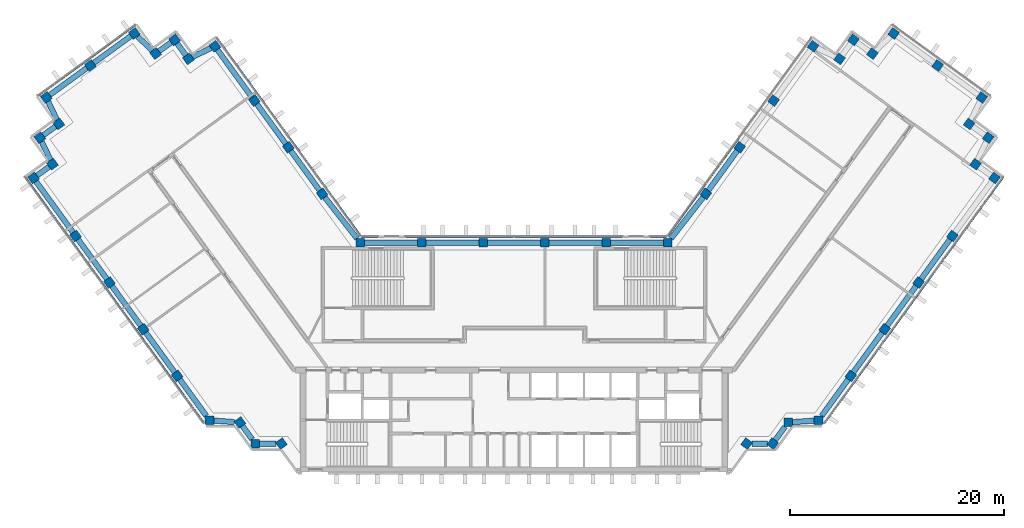
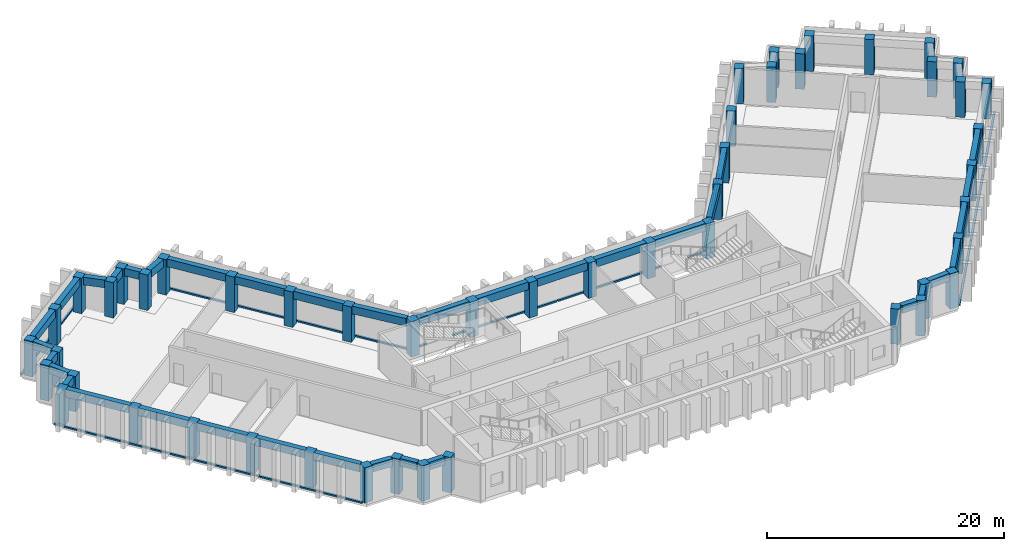
"""IFC4 building model written with IfcOpenShell, lengths in metres."""

import ifcopenshell
import ifcopenshell.guid

model = None  # the IFC model being written
_history = None  # IfcOwnerHistory: only IFC2X3 demands one
_inside = {}  # id of a spatial element -> (the spatial element, [elements in it])
_under = {}  # id of a project, library or spatial element -> (it, [spatial elements below it])
_declared = {}  # id of a project -> (the project, [libraries it declares])
_typed = {}  # id of a type object -> (the type object, [elements of that type])
_made_of = {}  # id of a material, layer set ... -> (it, [elements and type objects made of it])


def new_model(schema):
    """Start an empty IFC model of exactly this schema.

    Asked for "IFC4X3", IfcOpenShell would pick the latest addendum, in which some entities
    have other attributes; the version numbers below select the first issue.
    IFC2X3 requires an IfcOwnerHistory on every rooted entity: one is made here for all.
    """
    global model, _history
    if schema == "IFC4X3":
        model = ifcopenshell.file(schema_version=(4, 3, 0, 0))
    else:
        model = ifcopenshell.file(schema=schema)
    _inside.clear()
    _under.clear()
    _declared.clear()
    _typed.clear()
    _made_of.clear()
    _history = None
    if model.schema == "IFC2X3":
        org = make("IfcOrganization", Name="unknown")
        user = make(
            "IfcPersonAndOrganization",
            ThePerson=make("IfcPerson", FamilyName="unknown"),
            TheOrganization=org,
        )
        app = make(
            "IfcApplication",
            ApplicationDeveloper=org,
            Version="unknown",
            ApplicationFullName="unknown",
            ApplicationIdentifier="unknown",
        )
        _history = make(
            "IfcOwnerHistory",
            OwningUser=user,
            OwningApplication=app,
            ChangeAction="ADDED",
            CreationDate=0,
        )
    return model


def make(cls, **values):
    """One entity of the class cls with the attributes given. An attribute that is None is left unset."""
    return model.create_entity(
        cls, **{name: value for name, value in values.items() if value is not None}
    )


def rooted(cls, **values):
    """An entity with a GlobalId (a new one), such as an element, a storey or a relation."""
    return make(cls, GlobalId=ifcopenshell.guid.new(), OwnerHistory=_history, **values)


def si_unit(unit_type, name, prefix=None):
    """IfcSIUnit, for example si_unit("LENGTHUNIT", "METRE", prefix="MILLI")."""
    return make("IfcSIUnit", UnitType=unit_type, Prefix=prefix, Name=name)


def assignment(units):
    """IfcUnitAssignment: the units of a project."""
    return None if units is None else make("IfcUnitAssignment", Units=units)


def point(xyz):
    """IfcCartesianPoint."""
    return None if xyz is None else make("IfcCartesianPoint", Coordinates=xyz)


def direction(xyz):
    """IfcDirection."""
    return None if xyz is None else make("IfcDirection", DirectionRatios=xyz)


def frame(location, z_axis=None, x_axis=None):
    """IfcAxis2Placement3D, a coordinate frame: its origin and axes. An axis left out is left unset."""
    return make(
        "IfcAxis2Placement3D",
        Location=point(location),
        Axis=direction(z_axis),
        RefDirection=direction(x_axis),
    )


def frame_2d(location, x_axis=None):
    """IfcAxis2Placement2D, a coordinate frame in the plane: its origin and x axis."""
    return make(
        "IfcAxis2Placement2D", Location=point(location), RefDirection=direction(x_axis)
    )


def origin():
    """The frame at (0, 0, 0) with its axes left unset."""
    return frame((0.0, 0.0, 0.0))


def origin_2d():
    """The frame at (0, 0) in the plane with its x axis left unset."""
    return frame_2d((0.0, 0.0))


def place(relative_to, where):
    """IfcLocalPlacement: puts the frame where relative to a parent placement (None: the world)."""
    return make(
        "IfcLocalPlacement", PlacementRelTo=relative_to, RelativePlacement=where
    )


def context(
    kind, dimensions, precision=None, world=None, true_north=None, identifier=None
):
    """IfcGeometricRepresentationContext, for example the 3D "Model" context."""
    return make(
        "IfcGeometricRepresentationContext",
        ContextIdentifier=identifier,
        ContextType=kind,
        CoordinateSpaceDimension=dimensions,
        Precision=precision,
        WorldCoordinateSystem=world,
        TrueNorth=true_north,
    )


def subcontext(parent, identifier, kind, view, scale=None):
    """IfcGeometricRepresentationSubContext, for example "Body" below "Model"."""
    return make(
        "IfcGeometricRepresentationSubContext",
        ContextIdentifier=identifier,
        ContextType=kind,
        ParentContext=parent,
        TargetScale=scale,
        TargetView=view,
    )


def project(units=None, contexts=None):
    """IfcProject with its units and contexts."""
    return rooted(
        "IfcProject",
        Name="project",
        RepresentationContexts=contexts,
        UnitsInContext=assignment(units),
    )


def spatial(cls, under=None, at=None, **own):
    """A site, building, storey or space (cls), placed at a placement, below another one or the project."""
    s = rooted(cls, ObjectPlacement=at, **own)
    if under is not None:
        _under.setdefault(under.id(), (under, []))[1].append(s)
    return s


def profile(cls, at=None, kind="AREA", **sizes):
    """A parametric profile (cls). Its sizes go by their IFC names, for example OverallWidth=200.0."""
    return make(cls, ProfileType=kind, Position=at, **sizes)


def rectangle(**sizes):
    """IfcRectangleProfileDef."""
    return profile("IfcRectangleProfileDef", **sizes)


def extrude(swept, where, along, depth):
    """IfcExtrudedAreaSolid: the profile swept, set in the frame where, extruded along a direction by depth."""
    return make(
        "IfcExtrudedAreaSolid",
        SweptArea=swept,
        Position=where,
        ExtrudedDirection=direction(along),
        Depth=depth,
    )


def shape(context_of_items, identifier, shape_type, items):
    """IfcShapeRepresentation: the items that make up one representation, for example the "Body"."""
    return make(
        "IfcShapeRepresentation",
        ContextOfItems=context_of_items,
        RepresentationIdentifier=identifier,
        RepresentationType=shape_type,
        Items=items,
    )


def material(Name=None, Category=None):
    """IfcMaterial."""
    return make("IfcMaterial", Name=Name, Category=Category)


def material_profile(
    of_material, cross_section, Name=None, Category=None, Priority=None
):
    """IfcMaterialProfile: a cross section and its material."""
    return make(
        "IfcMaterialProfile",
        Name=Name,
        Material=of_material,
        Profile=cross_section,
        Priority=Priority,
        Category=Category,
    )


def profile_set(profiles, Name=None, composite=None):
    """IfcMaterialProfileSet."""
    return make(
        "IfcMaterialProfileSet",
        Name=Name,
        MaterialProfiles=profiles,
        CompositeProfile=composite,
    )


def made_of(thing, what):
    """Note that an element or type object is made of a material, layer set ...; save() writes the relation."""
    if what is not None:
        _made_of.setdefault(what.id(), (what, []))[1].append(thing)
    return thing


def type_object(cls, material=None, **own):
    """A type object (cls), such as IfcWallType, which elements share."""
    return made_of(rooted(cls, **own), material)


def element(
    cls,
    number,
    at=None,
    inside=None,
    cuts=None,
    type_object=None,
    material=None,
    context=None,
    identifier="Body",
    shape_type=None,
    held_by="IfcProductDefinitionShape",
    body=None,
    shapes=None,
    **own,
):
    """One element of the class cls, such as IfcWall. Its Tag is "e" and its number.

    at: its placement. inside: the storey or other place that contains it. cuts: it is an
    opening in that element (IfcRelVoidsElement). A single representation is given by context,
    identifier, shape_type and body (its items); several are given by shapes. held_by: the class
    of the entity that holds the representations. save() writes the other relations.
    """
    e = rooted(cls, Tag="e%d" % number, ObjectPlacement=at, **own)
    if body is not None:
        shapes = [shape(context, identifier, shape_type, body)]
    if shapes is not None:
        e.Representation = make(held_by, Representations=shapes)
    if inside is not None:
        _inside.setdefault(inside.id(), (inside, []))[1].append(e)
    if cuts is not None:
        rooted(
            "IfcRelVoidsElement", RelatingBuildingElement=cuts, RelatedOpeningElement=e
        )
    if type_object is not None:
        _typed.setdefault(type_object.id(), (type_object, []))[1].append(e)
    return made_of(e, material)


def aggregate(whole, parts):
    """IfcRelAggregates: a whole, such as a stair, and the parts it consists of."""
    return rooted("IfcRelAggregates", RelatingObject=whole, RelatedObjects=parts)


def save(model, path):
    """Write the relations noted so far, then the file.

    IfcRelAggregates (storeys below a building ...), IfcRelContainedInSpatialStructure (elements
    in a storey), IfcRelDefinesByType, IfcRelAssociatesMaterial and IfcRelDeclares: one each for
    every whole, place, type object, material and project.
    """
    for whole, parts in _under.values():
        aggregate(whole, parts)
    for where, things in _inside.values():
        rooted(
            "IfcRelContainedInSpatialStructure",
            RelatedElements=things,
            RelatingStructure=where,
        )
    for kind, things in _typed.values():
        rooted("IfcRelDefinesByType", RelatedObjects=things, RelatingType=kind)
    for what, things in _made_of.values():
        rooted("IfcRelAssociatesMaterial", RelatedObjects=things, RelatingMaterial=what)
    for by, libraries in _declared.values():
        rooted("IfcRelDeclares", RelatingContext=by, RelatedDefinitions=libraries)
    model.write(path)


model = new_model("IFC4")

# Units and contexts
model_context = context("Model", 3, precision=1e-05, world=origin(), true_north=direction((0.0, 1.0)))
body_context = subcontext(model_context, "Body", "Model", "MODEL_VIEW")
ifc_project = project(units=[si_unit("LENGTHUNIT", "METRE"), si_unit("AREAUNIT", "SQUARE_METRE"), si_unit("VOLUMEUNIT", "CUBIC_METRE"), si_unit("PLANEANGLEUNIT", "RADIAN"), si_unit("MASSUNIT", "GRAM", prefix="KILO")], contexts=[model_context])

# Site, building, storey
site_placement = place(None, origin())
site = spatial("IfcSite", under=ifc_project, at=site_placement, CompositionType="ELEMENT")
building_placement = place(site_placement, origin())
building = spatial("IfcBuilding", under=site, at=building_placement, Name="Quipu Civic Tower", CompositionType="ELEMENT")
storey_1_placement = place(building_placement, frame((0.0, 0.0, 176.0)))
storey_1 = spatial("IfcBuildingStorey", under=building, at=storey_1_placement, Name="L41", CompositionType="ELEMENT", Elevation=176.0)

# Columns
ifc_material_1 = material(Name="Concrete C60/75", Category="concrete")
ifc_material_profile_1 = material_profile(ifc_material_1, rectangle(XDim=0.800048828125, YDim=0.800048828125, at=origin_2d()), Name="RC800x800")
ifc_profile_set_1 = profile_set([ifc_material_profile_1], Name="Concrete C60/75")
column_type = type_object("IfcColumnType", Name="Perimeter column RC 800x800 C60/75", PredefinedType="COLUMN", material=ifc_profile_set_1)
for number, where, z_axis, x_axis, name in (
    (1, (-17.9736328125, 15.074951171875, 0.0), (0.0, 0.0, 1.0), (-0.587785252292, 0.809016994375, 0.0), "Column L41 W-IN-01"),
    (2, (-21.1474609375, 19.44384765625, 0.0), (0.0, 0.0, 1.0), (-0.587785252292, 0.809016994375, 0.0), "Column L41 W-IN-02"),
    (3, (-24.3212890625, 23.8125, 0.0), (0.0, 0.0, 1.0), (-0.587785252292, 0.809016994375, 0.0), "Column L41 W-IN-03"),
    (4, (-28.02001953125, 28.905029296875, 0.0), (0.0, 0.0, 1.0), (-0.809016994375, -0.587785252292, 0.0), "Column L41 T-Wi.0-W34"),
    (5, (-30.498779296875, 27.72265625, 0.0), (0.0, 0.0, 1.0), (-0.809016994375, -0.587785252292, 0.0), "Column L41 T-Wi.1-W34"),
    (6, (-31.794921875, 29.5, 0.0), (0.0, 0.0, 1.0), (-0.587785252292, 0.809016994375, 0.0), "Column L41 T-Wi.2-W34"),
    (7, (-33.573974609375, 28.20947265625, 0.0), (0.0, 0.0, 1.0), (-0.587785252292, 0.809016994375, 0.0), "Column L41 T-Wi.3-W34"),
    (8, (-35.56494140625, 30.10009765625, 0.0), (0.0, 0.0, 1.0), (-0.809016994375, -0.587785252292, 0.0), "Column L41 T-Wi.4-W34"),
    (9, (-39.690673828125, 27.10205078125, 0.0), (0.0, 0.0, 1.0), (-0.809016994375, -0.587785252292, 0.0), "Column L41 TIP-W-01-W34"),
    (10, (-43.81494140625, 24.10498046875, 0.0), (0.0, 0.0, 1.0), (-0.809016994375, -0.587785252292, 0.0), "Column L41 T-Wo.0-W34"),
    (11, (-42.635009765625, 21.626220703125, 0.0), (0.0, 0.0, 1.0), (-0.809016994375, -0.587785252292, 0.0), "Column L41 T-Wo.1-W34"),
    (12, (-44.4150390625, 20.3349609375, 0.0), (0.0, 0.0, 1.0), (0.587785252292, -0.809016994375, 0.0), "Column L41 T-Wo.2-W34"),
    (13, (-43.23095703125, 17.8544921875, 0.0), (0.0, 0.0, 1.0), (0.587785252292, -0.809016994375, 0.0), "Column L41 T-Wo.3-W34"),
    (14, (-45.010009765625, 16.56005859375, 0.0), (0.0, 0.0, 1.0), (0.587785252292, -0.809016994375, 0.0), "Column L41 T-Wo.4-W34"),
    (15, (-41.0703125, 11.137451171875, 0.0), (0.0, 0.0, 1.0), (0.587785252292, -0.809016994375, 0.0), "Column L41 W-OUT-04"),
    (16, (-37.896240234375, 6.768798828125, 0.0), (0.0, 0.0, 1.0), (0.587785252292, -0.809016994375, 0.0), "Column L41 W-OUT-03"),
    (17, (-34.722412109375, 2.39990234375, 0.0), (0.0, 0.0, 1.0), (0.587785252292, -0.809016994375, 0.0), "Column L41 W-OUT-02"),
    (18, (-31.54833984375, -1.96875, 0.0), (0.0, 0.0, 1.0), (0.587785252292, -0.809016994375, 0.0), "Column L41 W-OUT-01"),
    (19, (-28.52490234375, -6.1298828125, 0.0), (0.0, 0.0, 1.0), (1.0, 0.0, 0.0), "Column L41 J-Wo.0"),
    (20, (-25.67431640625, -6.3369140625, 0.0), (0.0, 0.0, 1.0), (0.587785252292, -0.809016994375, 0.0), "Column L41 J-Wo.1"),
    (21, (-24.235107421875, -8.31494140625, 0.0), (0.0, 0.0, 1.0), (1.0, 0.0, 0.0), "Column L41 J-Wo.2"),
    (22, (-21.791748046875, -8.31494140625, 0.0), (0.0, 0.0, 1.0), (0.587785252292, -0.809016994375, 0.0), "Column L41 J-Wo.3"),
    (23, (21.791748046875, -8.31494140625, 0.0), (0.0, 0.0, 1.0), (0.587785252292, 0.809016994375, 0.0), "Column L41 J-Eo.1"),
    (24, (24.235107421875, -8.31494140625, 0.0), (0.0, 0.0, 1.0), (0.587785252292, 0.809016994375, 0.0), "Column L41 J-Eo.2"),
    (25, (25.67431640625, -6.3369140625, 0.0), (0.0, 0.0, 1.0), (1.0, 0.0, 0.0), "Column L41 J-Eo.3"),
    (26, (28.52490234375, -6.1298828125, 0.0), (0.0, 0.0, 1.0), (1.0, 0.0, 0.0), "Column L41 J-Eo.4"),
    (27, (31.54833984375, -1.96875, 0.0), (0.0, 0.0, 1.0), (0.587785252292, 0.809016994375, 0.0), "Column L41 E-OUT-01"),
    (28, (34.722412109375, 2.39990234375, 0.0), (0.0, 0.0, 1.0), (0.587785252292, 0.809016994375, 0.0), "Column L41 E-OUT-02"),
    (29, (37.896240234375, 6.768798828125, 0.0), (0.0, 0.0, 1.0), (0.587785252292, 0.809016994375, 0.0), "Column L41 E-OUT-03"),
    (30, (41.0703125, 11.137451171875, 0.0), (0.0, 0.0, 1.0), (0.587785252292, 0.809016994375, 0.0), "Column L41 E-OUT-04"),
    (31, (45.010009765625, 16.56005859375, 0.0), (0.0, 0.0, 1.0), (0.587785252292, 0.809016994375, 0.0), "Column L41 T-Eo.0-E34"),
    (32, (43.23095703125, 17.8544921875, 0.0), (0.0, 0.0, 1.0), (0.587785252292, 0.809016994375, 0.0), "Column L41 T-Eo.1-E34"),
    (33, (44.4150390625, 20.3349609375, 0.0), (0.0, 0.0, 1.0), (0.587785252292, 0.809016994375, 0.0), "Column L41 T-Eo.2-E34"),
    (34, (42.635009765625, 21.626220703125, 0.0), (0.0, 0.0, 1.0), (-0.809016994375, 0.587785252292, 0.0), "Column L41 T-Eo.3-E34"),
    (35, (43.81494140625, 24.10498046875, 0.0), (0.0, 0.0, 1.0), (-0.809016994375, 0.587785252292, 0.0), "Column L41 T-Eo.4-E34"),
    (36, (39.690673828125, 27.10205078125, 0.0), (0.0, 0.0, 1.0), (-0.809016994375, 0.587785252292, 0.0), "Column L41 TIP-E-01-E34"),
    (37, (35.56494140625, 30.10009765625, 0.0), (0.0, 0.0, 1.0), (-0.587785252292, -0.809016994375, 0.0), "Column L41 T-Ei.0-E34"),
    (38, (33.573974609375, 28.20947265625, 0.0), (0.0, 0.0, 1.0), (-0.809016994375, 0.587785252292, 0.0), "Column L41 T-Ei.1-E34"),
    (39, (31.794921875, 29.5, 0.0), (0.0, 0.0, 1.0), (-0.587785252292, -0.809016994375, 0.0), "Column L41 T-Ei.2-E34"),
    (40, (30.498779296875, 27.72265625, 0.0), (0.0, 0.0, 1.0), (-0.809016994375, 0.587785252292, 0.0), "Column L41 T-Ei.3-E34"),
    (41, (28.02001953125, 28.905029296875, 0.0), (0.0, 0.0, 1.0), (-0.809016994375, 0.587785252292, 0.0), "Column L41 T-Ei.4-E34"),
    (42, (24.3212890625, 23.8125, 0.0), (0.0, 0.0, 1.0), (-0.587785252292, -0.809016994375, 0.0), "Column L41 E-IN-03"),
    (43, (21.1474609375, 19.44384765625, 0.0), (0.0, 0.0, 1.0), (-0.587785252292, -0.809016994375, 0.0), "Column L41 E-IN-02"),
    (44, (17.9736328125, 15.074951171875, 0.0), (0.0, 0.0, 1.0), (-0.587785252292, -0.809016994375, 0.0), "Column L41 E-IN-01"),
    (45, (14.395263671875, 10.5, 0.0), (0.0, 0.0, 1.0), (-1.0, 0.0, 0.0), "Column L41 J-Ei.0"),
    (46, (8.63720703125, 10.5, 0.0), (0.0, 0.0, 1.0), (-1.0, 0.0, 0.0), "Column L41 FRONT-01"),
    (47, (2.87890625, 10.5, 0.0), (0.0, 0.0, 1.0), (-1.0, 0.0, 0.0), "Column L41 FRONT-02"),
    (48, (-2.87890625, 10.5, 0.0), (0.0, 0.0, 1.0), (-1.0, 0.0, 0.0), "Column L41 FRONT-03"),
    (49, (-8.63720703125, 10.5, 0.0), (0.0, 0.0, 1.0), (-1.0, 0.0, 0.0), "Column L41 FRONT-04"),
    (50, (-14.395263671875, 10.5, 0.0), (0.0, 0.0, 1.0), (-1.0, 0.0, 0.0), "Column L41 J-Wi.0"),
):
    element("IfcColumn", number, at=place(storey_1_placement, frame(where, z_axis=z_axis, x_axis=x_axis)), inside=storey_1, type_object=column_type, Name=name, PredefinedType="COLUMN", context=body_context, shape_type="SweptSolid", body=[
        extrude(rectangle(XDim=0.800048828125, YDim=0.800048828125, at=origin_2d()), origin(), (0.0, 0.0, 1.0), 3.64990234375),
    ])

# Beams
ifc_material_2 = material(Name="Concrete C50/60", Category="concrete")
ifc_material_profile_2 = material_profile(ifc_material_2, rectangle(XDim=0.5, YDim=0.800048828125, at=origin_2d()), Name="RC500x800")
ifc_profile_set_2 = profile_set([ifc_material_profile_2], Name="Concrete C50/60")
beam_type = type_object("IfcBeamType", Name="Spandrel beam RC 500x800 C50/60", PredefinedType="SPANDREL", material=ifc_profile_set_2)
beam_1_placement = place(storey_1_placement, frame((-18.208740234375, 15.398681640625, 3.25), z_axis=(-0.58776136044, 0.809034352283, 0.0), x_axis=(-0.809034352283, -0.58776136044, 0.0)))
element("IfcBeam", 51, at=beam_1_placement, inside=storey_1, type_object=beam_type, Name="Spandrel beam L41 W-IN-01 to W-IN-02", PredefinedType="SPANDREL", context=body_context, shape_type="SweptSolid", body=[
    extrude(rectangle(XDim=0.5, YDim=0.800048828125, at=origin_2d()), origin(), (0.0, 0.0, 1.0), 4.599853515625),
])
beam_2_placement = place(storey_1_placement, frame((-21.382568359375, 19.767333984375, 3.25), z_axis=(-0.587736122681, 0.809052686848, 0.0), x_axis=(-0.809052686848, -0.587736122681, 0.0)))
element("IfcBeam", 52, at=beam_2_placement, inside=storey_1, type_object=beam_type, Name="Spandrel beam L41 W-IN-02 to W-IN-03", PredefinedType="SPANDREL", context=body_context, shape_type="SweptSolid", body=[
    extrude(rectangle(XDim=0.5, YDim=0.800048828125, at=origin_2d()), origin(), (0.0, 0.0, 1.0), 4.60009765625),
])
beam_3_placement = place(storey_1_placement, frame((-24.556396484375, 24.13623046875, 3.25), z_axis=(-0.587664254196, 0.809104890815, 0.0), x_axis=(-0.809104890815, -0.587664254196, 0.0)))
element("IfcBeam", 53, at=beam_3_placement, inside=storey_1, type_object=beam_type, Name="Spandrel beam L41 W-IN-03 to T-Wi.0-W34", PredefinedType="SPANDREL", context=body_context, shape_type="SweptSolid", body=[
    extrude(rectangle(XDim=0.5, YDim=0.800048828125, at=origin_2d()), origin(), (0.0, 0.0, 1.0), 5.493896484375),
])
beam_4_placement = place(storey_1_placement, frame((-28.38720703125, 28.72998046875, 3.25), z_axis=(-0.902584802379, -0.430512107279, 0.0), x_axis=(0.430512107279, -0.902584802379, 0.0)))
element("IfcBeam", 54, at=beam_4_placement, inside=storey_1, type_object=beam_type, Name="Spandrel beam L41 T-Wi.0-W34 to T-Wi.1-W34", PredefinedType="SPANDREL", context=body_context, shape_type="SweptSolid", body=[
    extrude(rectangle(XDim=0.5, YDim=0.800048828125, at=origin_2d()), origin(), (0.0, 0.0, 1.0), 1.9326171875),
])
beam_5_placement = place(storey_1_placement, frame((-30.734375, 28.0458984375, 3.25), z_axis=(-0.589342949835, 0.80788296645, 0.0), x_axis=(-0.80788296645, -0.589342949835, 0.0)))
element("IfcBeam", 55, at=beam_5_placement, inside=storey_1, type_object=beam_type, Name="Spandrel beam L41 T-Wi.1-W34 to T-Wi.2-W34", PredefinedType="SPANDREL", context=body_context, shape_type="SweptSolid", body=[
    extrude(rectangle(XDim=0.5, YDim=0.800048828125, at=origin_2d()), origin(), (0.0, 0.0, 1.0), 1.39990234375),
])
beam_6_placement = place(storey_1_placement, frame((-32.118896484375, 29.26513671875, 3.25), z_axis=(-0.80941533633, -0.587236590578, 0.0), x_axis=(0.587236590578, -0.80941533633, 0.0)))
element("IfcBeam", 56, at=beam_6_placement, inside=storey_1, type_object=beam_type, Name="Spandrel beam L41 T-Wi.2-W34 to T-Wi.3-W34", PredefinedType="SPANDREL", context=body_context, shape_type="SweptSolid", body=[
    extrude(rectangle(XDim=0.5, YDim=0.800048828125, at=origin_2d()), origin(), (0.0, 0.0, 1.0), 1.397705078125),
])
beam_7_placement = place(storey_1_placement, frame((-33.868896484375, 28.489501953125, 3.25), z_axis=(-0.72519185421, 0.68854685722, 0.0), x_axis=(-0.68854685722, -0.72519185421, 0.0)))
element("IfcBeam", 57, at=beam_7_placement, inside=storey_1, type_object=beam_type, Name="Spandrel beam L41 T-Wi.3-W34 to T-Wi.4-W34", PredefinedType="SPANDREL", context=body_context, shape_type="SweptSolid", body=[
    extrude(rectangle(XDim=0.5, YDim=0.800048828125, at=origin_2d()), origin(), (0.0, 0.0, 1.0), 1.93212890625),
])
beam_8_placement = place(storey_1_placement, frame((-35.888671875, 29.86474609375, 3.25), z_axis=(-0.808983997561, -0.58783066583, 0.0), x_axis=(0.58783066583, -0.808983997561, 0.0)))
element("IfcBeam", 58, at=beam_8_placement, inside=storey_1, type_object=beam_type, Name="Spandrel beam L41 T-Wi.4-W34 to TIP-W-01-W34", PredefinedType="SPANDREL", context=body_context, shape_type="SweptSolid", body=[
    extrude(rectangle(XDim=0.5, YDim=0.800048828125, at=origin_2d()), origin(), (0.0, 0.0, 1.0), 4.2998046875),
])
beam_9_placement = place(storey_1_placement, frame((-40.014404296875, 26.866943359375, 3.25), z_axis=(-0.808947267178, -0.587881211578, 0.0), x_axis=(0.587881211578, -0.808947267178, 0.0)))
element("IfcBeam", 59, at=beam_9_placement, inside=storey_1, type_object=beam_type, Name="Spandrel beam L41 TIP-W-01-W34 to T-Wo.0-W34", PredefinedType="SPANDREL", context=body_context, shape_type="SweptSolid", body=[
    extrude(rectangle(XDim=0.5, YDim=0.800048828125, at=origin_2d()), origin(), (0.0, 0.0, 1.0), 4.29833984375),
])
beam_10_placement = place(storey_1_placement, frame((-43.64013671875, 23.737548828125, 3.25), z_axis=(0.429889421342, -0.902881545618, 0.0), x_axis=(0.902881545618, 0.429889421342, 0.0)))
element("IfcBeam", 60, at=beam_10_placement, inside=storey_1, type_object=beam_type, Name="Spandrel beam L41 T-Wo.0-W34 to T-Wo.1-W34", PredefinedType="SPANDREL", context=body_context, shape_type="SweptSolid", body=[
    extrude(rectangle(XDim=0.5, YDim=0.800048828125, at=origin_2d()), origin(), (0.0, 0.0, 1.0), 1.931396484375),
])
beam_11_placement = place(storey_1_placement, frame((-42.958740234375, 21.391357421875, 3.25), z_axis=(-0.809467380413, -0.587164849125, 0.0), x_axis=(0.587164849125, -0.809467380413, 0.0)))
element("IfcBeam", 61, at=beam_11_placement, inside=storey_1, type_object=beam_type, Name="Spandrel beam L41 T-Wo.1-W34 to T-Wo.2-W34", PredefinedType="SPANDREL", context=body_context, shape_type="SweptSolid", body=[
    extrude(rectangle(XDim=0.5, YDim=0.800048828125, at=origin_2d()), origin(), (0.0, 0.0, 1.0), 1.399169921875),
])
beam_12_placement = place(storey_1_placement, frame((-44.23974609375, 19.9677734375, 3.25), z_axis=(0.430785642718, -0.902454281406, 0.0), x_axis=(0.902454281406, 0.430785642718, 0.0)))
element("IfcBeam", 62, at=beam_12_placement, inside=storey_1, type_object=beam_type, Name="Spandrel beam L41 T-Wo.2-W34 to T-Wo.3-W34", PredefinedType="SPANDREL", context=body_context, shape_type="SweptSolid", body=[
    extrude(rectangle(XDim=0.5, YDim=0.800048828125, at=origin_2d()), origin(), (0.0, 0.0, 1.0), 1.934814453125),
])
beam_13_placement = place(storey_1_placement, frame((-43.554443359375, 17.619140625, 3.25), z_axis=(-0.808600329101, -0.588358315805, 0.0), x_axis=(0.588358315805, -0.808600329101, 0.0)))
element("IfcBeam", 63, at=beam_13_placement, inside=storey_1, type_object=beam_type, Name="Spandrel beam L41 T-Wo.3-W34 to T-Wo.4-W34", PredefinedType="SPANDREL", context=body_context, shape_type="SweptSolid", body=[
    extrude(rectangle(XDim=0.5, YDim=0.800048828125, at=origin_2d()), origin(), (0.0, 0.0, 1.0), 1.400146484375),
])
beam_14_placement = place(storey_1_placement, frame((-44.77490234375, 16.236328125, 3.25), z_axis=(0.58780026889, -0.809006083965, 0.0), x_axis=(0.809006083965, 0.58780026889, 0.0)))
element("IfcBeam", 64, at=beam_14_placement, inside=storey_1, type_object=beam_type, Name="Spandrel beam L41 T-Wo.4-W34 to W-OUT-04", PredefinedType="SPANDREL", context=body_context, shape_type="SweptSolid", body=[
    extrude(rectangle(XDim=0.5, YDim=0.800048828125, at=origin_2d()), origin(), (0.0, 0.0, 1.0), 5.902587890625),
])
beam_15_placement = place(storey_1_placement, frame((-40.835205078125, 10.81396484375, 3.25), z_axis=(0.587770861189, -0.809027449928, 0.0), x_axis=(0.809027449928, 0.587770861189, 0.0)))
element("IfcBeam", 65, at=beam_15_placement, inside=storey_1, type_object=beam_type, Name="Spandrel beam L41 W-OUT-04 to W-OUT-03", PredefinedType="SPANDREL", context=body_context, shape_type="SweptSolid", body=[
    extrude(rectangle(XDim=0.5, YDim=0.800048828125, at=origin_2d()), origin(), (0.0, 0.0, 1.0), 4.60009765625),
])
beam_16_placement = place(storey_1_placement, frame((-37.6611328125, 6.445068359375, 3.25), z_axis=(0.58776136044, -0.809034352283, 0.0), x_axis=(0.809034352283, 0.58776136044, 0.0)))
element("IfcBeam", 66, at=beam_16_placement, inside=storey_1, type_object=beam_type, Name="Spandrel beam L41 W-OUT-03 to W-OUT-02", PredefinedType="SPANDREL", context=body_context, shape_type="SweptSolid", body=[
    extrude(rectangle(XDim=0.5, YDim=0.800048828125, at=origin_2d()), origin(), (0.0, 0.0, 1.0), 4.599853515625),
])
beam_17_placement = place(storey_1_placement, frame((-34.4873046875, 2.076416015625, 3.25), z_axis=(0.587796098864, -0.809009113768, 0.0), x_axis=(0.809009113768, 0.587796098864, 0.0)))
element("IfcBeam", 67, at=beam_17_placement, inside=storey_1, type_object=beam_type, Name="Spandrel beam L41 W-OUT-02 to W-OUT-01", PredefinedType="SPANDREL", context=body_context, shape_type="SweptSolid", body=[
    extrude(rectangle(XDim=0.5, YDim=0.800048828125, at=origin_2d()), origin(), (0.0, 0.0, 1.0), 4.60009765625),
])
beam_18_placement = place(storey_1_placement, frame((-31.313232421875, -2.292236328125, 3.25), z_axis=(0.58776850526, -0.809029161541, 0.0), x_axis=(0.809029161541, 0.58776850526, 0.0)))
element("IfcBeam", 68, at=beam_18_placement, inside=storey_1, type_object=beam_type, Name="Spandrel beam L41 W-OUT-01 to J-Wo.0", PredefinedType="SPANDREL", context=body_context, shape_type="SweptSolid", body=[
    extrude(rectangle(XDim=0.5, YDim=0.800048828125, at=origin_2d()), origin(), (0.0, 0.0, 1.0), 4.249267578125),
])
beam_19_placement = place(storey_1_placement, frame((-28.125, -6.158935546875, 3.25), z_axis=(0.997370796499, -0.072467194581, 0.0), x_axis=(0.072467194581, 0.997370796499, 0.0)))
element("IfcBeam", 69, at=beam_19_placement, inside=storey_1, type_object=beam_type, Name="Spandrel beam L41 J-Wo.0 to J-Wo.1", PredefinedType="SPANDREL", context=body_context, shape_type="SweptSolid", body=[
    extrude(rectangle(XDim=0.5, YDim=0.800048828125, at=origin_2d()), origin(), (0.0, 0.0, 1.0), 1.933837890625),
])
beam_20_placement = place(storey_1_placement, frame((-25.43896484375, -6.660400390625, 3.25), z_axis=(0.588330737135, -0.808620395329, 0.0), x_axis=(0.808620395329, 0.588330737135, 0.0)))
element("IfcBeam", 70, at=beam_20_placement, inside=storey_1, type_object=beam_type, Name="Spandrel beam L41 J-Wo.1 to J-Wo.2", PredefinedType="SPANDREL", context=body_context, shape_type="SweptSolid", body=[
    extrude(rectangle(XDim=0.5, YDim=0.800048828125, at=origin_2d()), origin(), (0.0, 0.0, 1.0), 1.551513671875),
])
beam_21_placement = place(storey_1_placement, frame((-23.8349609375, -8.31494140625, 3.25), z_axis=(1.0, 0.0, 0.0), x_axis=(0.0, 1.0, 0.0)))
element("IfcBeam", 71, at=beam_21_placement, inside=storey_1, type_object=beam_type, Name="Spandrel beam L41 J-Wo.2 to J-Wo.3", PredefinedType="SPANDREL", context=body_context, shape_type="SweptSolid", body=[
    extrude(rectangle(XDim=0.5, YDim=0.800048828125, at=origin_2d()), origin(), (0.0, 0.0, 1.0), 1.548828125),
])
beam_22_placement = place(storey_1_placement, frame((22.2861328125, -8.31494140625, 3.25), z_axis=(1.0, 0.0, 0.0), x_axis=(0.0, 1.0, 0.0)))
element("IfcBeam", 72, at=beam_22_placement, inside=storey_1, type_object=beam_type, Name="Spandrel beam L41 J-Eo.1 to J-Eo.2", PredefinedType="SPANDREL", context=body_context, shape_type="SweptSolid", body=[
    extrude(rectangle(XDim=0.5, YDim=0.800048828125, at=origin_2d()), origin(), (0.0, 0.0, 1.0), 1.454345703125),
])
beam_23_placement = place(storey_1_placement, frame((24.470458984375, -7.991455078125, 3.25), z_axis=(0.588405601119, 0.808565920981, 0.0), x_axis=(-0.808565920981, 0.588405601119, 0.0)))
element("IfcBeam", 73, at=beam_23_placement, inside=storey_1, type_object=beam_type, Name="Spandrel beam L41 J-Eo.2 to J-Eo.3", PredefinedType="SPANDREL", context=body_context, shape_type="SweptSolid", body=[
    extrude(rectangle(XDim=0.5, YDim=0.800048828125, at=origin_2d()), origin(), (0.0, 0.0, 1.0), 1.55126953125),
])
beam_24_placement = place(storey_1_placement, frame((26.074462890625, -6.307861328125, 3.25), z_axis=(0.997372997143, 0.072436900614, 0.0), x_axis=(-0.072436900614, 0.997372997143, 0.0)))
element("IfcBeam", 74, at=beam_24_placement, inside=storey_1, type_object=beam_type, Name="Spandrel beam L41 J-Eo.3 to J-Eo.4", PredefinedType="SPANDREL", context=body_context, shape_type="SweptSolid", body=[
    extrude(rectangle(XDim=0.5, YDim=0.800048828125, at=origin_2d()), origin(), (0.0, 0.0, 1.0), 2.055908203125),
])
beam_25_placement = place(storey_1_placement, frame((28.815673828125, -5.72998046875, 3.25), z_axis=(0.58776850526, 0.809029161541, 0.0), x_axis=(-0.809029161541, 0.58776850526, 0.0)))
element("IfcBeam", 75, at=beam_25_placement, inside=storey_1, type_object=beam_type, Name="Spandrel beam L41 J-Eo.4 to E-OUT-01", PredefinedType="SPANDREL", context=body_context, shape_type="SweptSolid", body=[
    extrude(rectangle(XDim=0.5, YDim=0.800048828125, at=origin_2d()), origin(), (0.0, 0.0, 1.0), 4.249267578125),
])
beam_26_placement = place(storey_1_placement, frame((31.783447265625, -1.64501953125, 3.25), z_axis=(0.587796098864, 0.809009113768, 0.0), x_axis=(-0.809009113768, 0.587796098864, 0.0)))
element("IfcBeam", 76, at=beam_26_placement, inside=storey_1, type_object=beam_type, Name="Spandrel beam L41 E-OUT-01 to E-OUT-02", PredefinedType="SPANDREL", context=body_context, shape_type="SweptSolid", body=[
    extrude(rectangle(XDim=0.5, YDim=0.800048828125, at=origin_2d()), origin(), (0.0, 0.0, 1.0), 4.60009765625),
])
beam_27_placement = place(storey_1_placement, frame((34.95751953125, 2.7236328125, 3.25), z_axis=(0.58776136044, 0.809034352283, 0.0), x_axis=(-0.809034352283, 0.58776136044, 0.0)))
element("IfcBeam", 77, at=beam_27_placement, inside=storey_1, type_object=beam_type, Name="Spandrel beam L41 E-OUT-02 to E-OUT-03", PredefinedType="SPANDREL", context=body_context, shape_type="SweptSolid", body=[
    extrude(rectangle(XDim=0.5, YDim=0.800048828125, at=origin_2d()), origin(), (0.0, 0.0, 1.0), 4.599853515625),
])
beam_28_placement = place(storey_1_placement, frame((38.13134765625, 7.09228515625, 3.25), z_axis=(0.587770861189, 0.809027449928, 0.0), x_axis=(-0.809027449928, 0.587770861189, 0.0)))
element("IfcBeam", 78, at=beam_28_placement, inside=storey_1, type_object=beam_type, Name="Spandrel beam L41 E-OUT-03 to E-OUT-04", PredefinedType="SPANDREL", context=body_context, shape_type="SweptSolid", body=[
    extrude(rectangle(XDim=0.5, YDim=0.800048828125, at=origin_2d()), origin(), (0.0, 0.0, 1.0), 4.60009765625),
])
beam_29_placement = place(storey_1_placement, frame((20.912353515625, 19.1201171875, 3.25), z_axis=(-0.58776136044, -0.809034352283, 0.0), x_axis=(0.809034352283, -0.58776136044, 0.0)))
element("IfcBeam", 79, at=beam_29_placement, inside=storey_1, type_object=beam_type, Name="Spandrel beam L41 E-IN-02 to E-IN-01", PredefinedType="SPANDREL", context=body_context, shape_type="SweptSolid", body=[
    extrude(rectangle(XDim=0.5, YDim=0.800048828125, at=origin_2d()), origin(), (0.0, 0.0, 1.0), 4.599853515625),
])
beam_30_placement = place(storey_1_placement, frame((17.72705078125, 14.759765625, 3.25), z_axis=(-0.616090612932, -0.787675286306, 0.0), x_axis=(0.787675286306, -0.616090612932, 0.0)))
element("IfcBeam", 80, at=beam_30_placement, inside=storey_1, type_object=beam_type, Name="Spandrel beam L41 E-IN-01 to J-Ei.0", PredefinedType="SPANDREL", context=body_context, shape_type="SweptSolid", body=[
    extrude(rectangle(XDim=0.5, YDim=0.800048828125, at=origin_2d()), origin(), (0.0, 0.0, 1.0), 4.900390625),
])
for number, where, z_axis, x_axis, name in (
    (81, (13.9951171875, 10.5, 3.25), (-1.0, 0.0, 0.0), (0.0, -1.0, 0.0), "Spandrel beam L41 J-Ei.0 to FRONT-01"),
    (82, (8.237060546875, 10.5, 3.25), (-1.0, 0.0, 0.0), (0.0, -1.0, 0.0), "Spandrel beam L41 FRONT-01 to FRONT-02"),
    (83, (2.47900390625, 10.5, 3.25), (-1.0, 0.0, 0.0), (0.0, -1.0, 0.0), "Spandrel beam L41 FRONT-02 to FRONT-03"),
    (84, (-3.279052734375, 10.5, 3.25), (-1.0, 0.0, 0.0), (0.0, -1.0, 0.0), "Spandrel beam L41 FRONT-03 to FRONT-04"),
    (85, (-9.037109375, 10.5, 3.25), (-1.0, 0.0, 0.0), (0.0, -1.0, 0.0), "Spandrel beam L41 FRONT-04 to J-Wi.0"),
):
    element("IfcBeam", number, at=place(storey_1_placement, frame(where, z_axis=z_axis, x_axis=x_axis)), inside=storey_1, type_object=beam_type, Name=name, PredefinedType="SPANDREL", context=body_context, shape_type="SweptSolid", body=[
        extrude(rectangle(XDim=0.5, YDim=0.800048828125, at=origin_2d()), origin(), (0.0, 0.0, 1.0), 4.9580078125),
    ])
beam_31_placement = place(storey_1_placement, frame((-14.7080078125, 10.89990234375, 3.25), z_axis=(-0.616090612932, 0.787675286306, 0.0), x_axis=(-0.787675286306, -0.616090612932, 0.0)))
element("IfcBeam", 86, at=beam_31_placement, inside=storey_1, type_object=beam_type, Name="Spandrel beam L41 J-Wi.0 to W-IN-01", PredefinedType="SPANDREL", context=body_context, shape_type="SweptSolid", body=[
    extrude(rectangle(XDim=0.5, YDim=0.800048828125, at=origin_2d()), origin(), (0.0, 0.0, 1.0), 4.900390625),
])

# Storey
storey_2_placement = place(building_placement, frame((0.0, 0.0, 172.0)))
storey_2 = spatial("IfcBuildingStorey", under=building, at=storey_2_placement, Name="L40", CompositionType="ELEMENT", Elevation=172.0)

# Curtain wall, members
ifc_material_3 = material(Name="Insulated glass unit", Category="glass")
curtain_wall_type = type_object("IfcCurtainWallType", Name="Office curtain wall CW1", PredefinedType="NOTDEFINED", material=ifc_material_3)
curtain_wall_1_placement = place(storey_2_placement, origin())
curtain_wall_1 = element("IfcCurtainWall", 87, at=curtain_wall_1_placement, inside=storey_2, type_object=curtain_wall_type, Name="Office curtain wall CW1 L39 run 1", PredefinedType="NOTDEFINED")
ifc_material_4 = material(Name="Anodised aluminium", Category="aluminium")
ifc_material_profile_3 = material_profile(ifc_material_4, rectangle(XDim=0.199951171875, YDim=0.159912109375, at=origin_2d()), Name="RECT 200x160")
ifc_profile_set_3 = profile_set([ifc_material_profile_3], Name="Anodised aluminium")
member_type = type_object("IfcMemberType", Name="Transom CW1", PredefinedType="USERDEFINED", material=ifc_profile_set_3)
member_1_placement = place(storey_1_placement, frame((-14.39111328125, 11.164794921875, 0.080078125), z_axis=(-0.587799878401, 0.809006367683, 0.0), x_axis=(-0.809006367683, -0.587799878401, 0.0)))
member_1 = element("IfcMember", 88, at=member_1_placement, inside=storey_1, type_object=member_type, Name="CW1 transom 1.3", ObjectType="TRANSOM", PredefinedType="USERDEFINED", context=body_context, shape_type="SweptSolid", body=[
    extrude(rectangle(XDim=0.199951171875, YDim=0.159912109375, at=origin_2d()), origin(), (0.0, 0.0, 1.0), 11.402099609375),
])
member_2_placement = place(storey_1_placement, frame((-21.140380859375, 20.453857421875, 0.080078125), z_axis=(-0.587775682251, 0.809023947331, 0.0), x_axis=(-0.809023947331, -0.587775682251, 0.0)))
member_2 = element("IfcMember", 89, at=member_2_placement, inside=storey_1, type_object=member_type, Name="CW1 transom 2.3", ObjectType="TRANSOM", PredefinedType="USERDEFINED", context=body_context, shape_type="SweptSolid", body=[
    extrude(rectangle(XDim=0.199951171875, YDim=0.159912109375, at=origin_2d()), origin(), (0.0, 0.0, 1.0), 11.402099609375),
])
aggregate(curtain_wall_1, [member_1, member_2])

# Curtain wall, member
curtain_wall_2_placement = place(storey_2_placement, origin())
curtain_wall_2 = element("IfcCurtainWall", 90, at=curtain_wall_2_placement, inside=storey_2, type_object=curtain_wall_type, Name="Office curtain wall CW1 L39 run 6", PredefinedType="NOTDEFINED")
member_3_placement = place(storey_1_placement, frame((-35.496826171875, 30.890869140625, 0.080078125), z_axis=(-0.809014959561, -0.587788052963, 0.0), x_axis=(0.587788052963, -0.809014959561, 0.0)))
member_3 = element("IfcMember", 91, at=member_3_placement, inside=storey_1, type_object=member_type, Name="CW1 transom 1.3", ObjectType="TRANSOM", PredefinedType="USERDEFINED", context=body_context, shape_type="SweptSolid", body=[
    extrude(rectangle(XDim=0.199951171875, YDim=0.159912109375, at=origin_2d()), origin(), (0.0, 0.0, 1.0), 11.239990234375),
])
aggregate(curtain_wall_2, [member_3])

# Curtain wall, members
curtain_wall_3_placement = place(storey_2_placement, origin())
curtain_wall_3 = element("IfcCurtainWall", 92, at=curtain_wall_3_placement, inside=storey_2, type_object=curtain_wall_type, Name="Office curtain wall CW1 L39 run 8", PredefinedType="NOTDEFINED")
member_4_placement = place(storey_1_placement, frame((-45.802490234375, 16.629638671875, 0.080078125), z_axis=(0.587783783239, -0.809018061703, 0.0), x_axis=(0.809018061703, 0.587783783239, 0.0)))
member_4 = element("IfcMember", 93, at=member_4_placement, inside=storey_1, type_object=member_type, Name="CW1 transom 1.3", ObjectType="TRANSOM", PredefinedType="USERDEFINED", context=body_context, shape_type="SweptSolid", body=[
    extrude(rectangle(XDim=0.199951171875, YDim=0.159912109375, at=origin_2d()), origin(), (0.0, 0.0, 1.0), 9.431884765625),
])
member_5_placement = place(storey_1_placement, frame((-40.21142578125, 8.934326171875, 0.080078125), z_axis=(0.587773158676, -0.809025780763, 0.0), x_axis=(0.809025780763, 0.587773158676, 0.0)))
member_5 = element("IfcMember", 94, at=member_5_placement, inside=storey_1, type_object=member_type, Name="CW1 transom 2.3", ObjectType="TRANSOM", PredefinedType="USERDEFINED", context=body_context, shape_type="SweptSolid", body=[
    extrude(rectangle(XDim=0.199951171875, YDim=0.159912109375, at=origin_2d()), origin(), (0.0, 0.0, 1.0), 9.471923828125),
])
member_6_placement = place(storey_1_placement, frame((-34.596923828125, 1.20654296875, 0.080078125), z_axis=(0.587783783239, -0.809018061703, 0.0), x_axis=(0.809018061703, 0.587783783239, 0.0)))
member_6 = element("IfcMember", 95, at=member_6_placement, inside=storey_1, type_object=member_type, Name="CW1 transom 3.3", ObjectType="TRANSOM", PredefinedType="USERDEFINED", context=body_context, shape_type="SweptSolid", body=[
    extrude(rectangle(XDim=0.199951171875, YDim=0.159912109375, at=origin_2d()), origin(), (0.0, 0.0, 1.0), 9.431884765625),
])
aggregate(curtain_wall_3, [member_4, member_5, member_6])

curtain_wall_4_placement = place(storey_2_placement, origin())
curtain_wall_4 = element("IfcCurtainWall", 96, at=curtain_wall_4_placement, inside=storey_2, type_object=curtain_wall_type, Name="Office curtain wall CW1 L39 run 20", PredefinedType="NOTDEFINED")
member_7_placement = place(storey_1_placement, frame((29.052978515625, -6.424072265625, 0.080078125), z_axis=(0.587783783239, 0.809018061703, 0.0), x_axis=(-0.809018061703, 0.587783783239, 0.0)))
member_7 = element("IfcMember", 97, at=member_7_placement, inside=storey_1, type_object=member_type, Name="CW1 transom 1.3", ObjectType="TRANSOM", PredefinedType="USERDEFINED", context=body_context, shape_type="SweptSolid", body=[
    extrude(rectangle(XDim=0.199951171875, YDim=0.159912109375, at=origin_2d()), origin(), (0.0, 0.0, 1.0), 9.431884765625),
])
member_8_placement = place(storey_1_placement, frame((34.64404296875, 1.271240234375, 0.080078125), z_axis=(0.587773158676, 0.809025780763, 0.0), x_axis=(-0.809025780763, 0.587773158676, 0.0)))
member_8 = element("IfcMember", 98, at=member_8_placement, inside=storey_1, type_object=member_type, Name="CW1 transom 2.3", ObjectType="TRANSOM", PredefinedType="USERDEFINED", context=body_context, shape_type="SweptSolid", body=[
    extrude(rectangle(XDim=0.199951171875, YDim=0.159912109375, at=origin_2d()), origin(), (0.0, 0.0, 1.0), 9.471923828125),
])
member_9_placement = place(storey_1_placement, frame((40.258544921875, 8.9990234375, 0.080078125), z_axis=(0.587783783239, 0.809018061703, 0.0), x_axis=(-0.809018061703, 0.587783783239, 0.0)))
member_9 = element("IfcMember", 99, at=member_9_placement, inside=storey_1, type_object=member_type, Name="CW1 transom 3.3", ObjectType="TRANSOM", PredefinedType="USERDEFINED", context=body_context, shape_type="SweptSolid", body=[
    extrude(rectangle(XDim=0.199951171875, YDim=0.159912109375, at=origin_2d()), origin(), (0.0, 0.0, 1.0), 9.431884765625),
])
aggregate(curtain_wall_4, [member_7, member_8, member_9])

# Curtain wall, member
curtain_wall_5_placement = place(storey_2_placement, origin())
curtain_wall_5 = element("IfcCurtainWall", 100, at=curtain_wall_5_placement, inside=storey_2, type_object=curtain_wall_type, Name="Office curtain wall CW1 L39 run 30", PredefinedType="NOTDEFINED")
member_10_placement = place(storey_1_placement, frame((21.09326171875, 20.38916015625, 0.080078125), z_axis=(-0.587799878401, -0.809006367683, 0.0), x_axis=(0.809006367683, -0.587799878401, 0.0)))
member_10 = element("IfcMember", 101, at=member_10_placement, inside=storey_1, type_object=member_type, Name="CW1 transom 2.3", ObjectType="TRANSOM", PredefinedType="USERDEFINED", context=body_context, shape_type="SweptSolid", body=[
    extrude(rectangle(XDim=0.199951171875, YDim=0.159912109375, at=origin_2d()), origin(), (0.0, 0.0, 1.0), 11.402099609375),
])
aggregate(curtain_wall_5, [member_10])

curtain_wall_6_placement = place(storey_2_placement, origin())
curtain_wall_6 = element("IfcCurtainWall", 102, at=curtain_wall_6_placement, inside=storey_2, type_object=curtain_wall_type, Name="Office curtain wall CW1 L39 run 31", PredefinedType="NOTDEFINED")
member_11_placement = place(storey_1_placement, frame((14.26416015625, 11.10009765625, 0.080078125), z_axis=(-1.0, 0.0, 0.0), x_axis=(0.0, -1.0, 0.0)))
member_11 = element("IfcMember", 103, at=member_11_placement, inside=storey_1, type_object=member_type, Name="CW1 transom 1.3", ObjectType="TRANSOM", PredefinedType="USERDEFINED", context=body_context, shape_type="SweptSolid", body=[
    extrude(rectangle(XDim=0.199951171875, YDim=0.159912109375, at=origin_2d()), origin(), (0.0, 0.0, 1.0), 1.529052734375),
])
aggregate(curtain_wall_6, [member_11])

# Curtain wall, members
curtain_wall_7_placement = place(storey_2_placement, origin())
curtain_wall_7 = element("IfcCurtainWall", 104, at=curtain_wall_7_placement, inside=storey_2, type_object=curtain_wall_type, Name="Office curtain wall CW1 L39 run 33", PredefinedType="NOTDEFINED")
member_12_placement = place(storey_1_placement, frame((10.18359375, 11.10009765625, 0.080078125), z_axis=(-1.0, 0.0, 0.0), x_axis=(0.0, -1.0, 0.0)))
member_12 = element("IfcMember", 105, at=member_12_placement, inside=storey_1, type_object=member_type, Name="CW1 transom 1.3", ObjectType="TRANSOM", PredefinedType="USERDEFINED", context=body_context, shape_type="SweptSolid", body=[
    extrude(rectangle(XDim=0.199951171875, YDim=0.159912109375, at=origin_2d()), origin(), (0.0, 0.0, 1.0), 10.1435546875),
])
member_13_placement = place(storey_1_placement, frame((-0.0400390625, 11.10009765625, 0.080078125), z_axis=(-1.0, 0.0, 0.0), x_axis=(0.0, -1.0, 0.0)))
member_13 = element("IfcMember", 106, at=member_13_placement, inside=storey_1, type_object=member_type, Name="CW1 transom 2.3", ObjectType="TRANSOM", PredefinedType="USERDEFINED", context=body_context, shape_type="SweptSolid", body=[
    extrude(rectangle(XDim=0.199951171875, YDim=0.159912109375, at=origin_2d()), origin(), (0.0, 0.0, 1.0), 10.1435546875),
])
aggregate(curtain_wall_7, [member_12, member_13])

# Curtain wall, member
curtain_wall_8_placement = place(storey_2_placement, origin())
curtain_wall_8 = element("IfcCurtainWall", 107, at=curtain_wall_8_placement, inside=storey_2, type_object=curtain_wall_type, Name="Office curtain wall CW1 L39 run 35", PredefinedType="NOTDEFINED")
member_14_placement = place(storey_1_placement, frame((-12.735107421875, 11.10009765625, 0.080078125), z_axis=(-1.0, 0.0, 0.0), x_axis=(0.0, -1.0, 0.0)))
member_14 = element("IfcMember", 108, at=member_14_placement, inside=storey_1, type_object=member_type, Name="CW1 transom 1.3", ObjectType="TRANSOM", PredefinedType="USERDEFINED", context=body_context, shape_type="SweptSolid", body=[
    extrude(rectangle(XDim=0.199951171875, YDim=0.159912109375, at=origin_2d()), origin(), (0.0, 0.0, 1.0), 1.529052734375),
])
aggregate(curtain_wall_8, [member_14])

save(model, "model.ifc")
